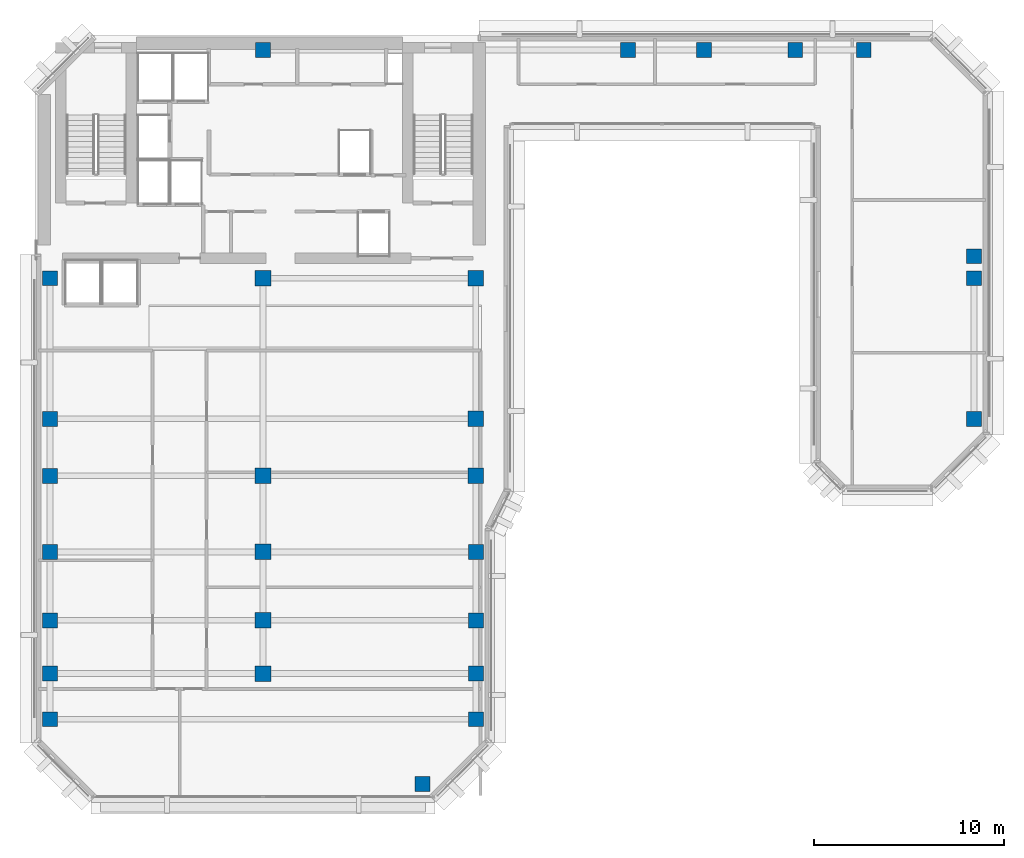
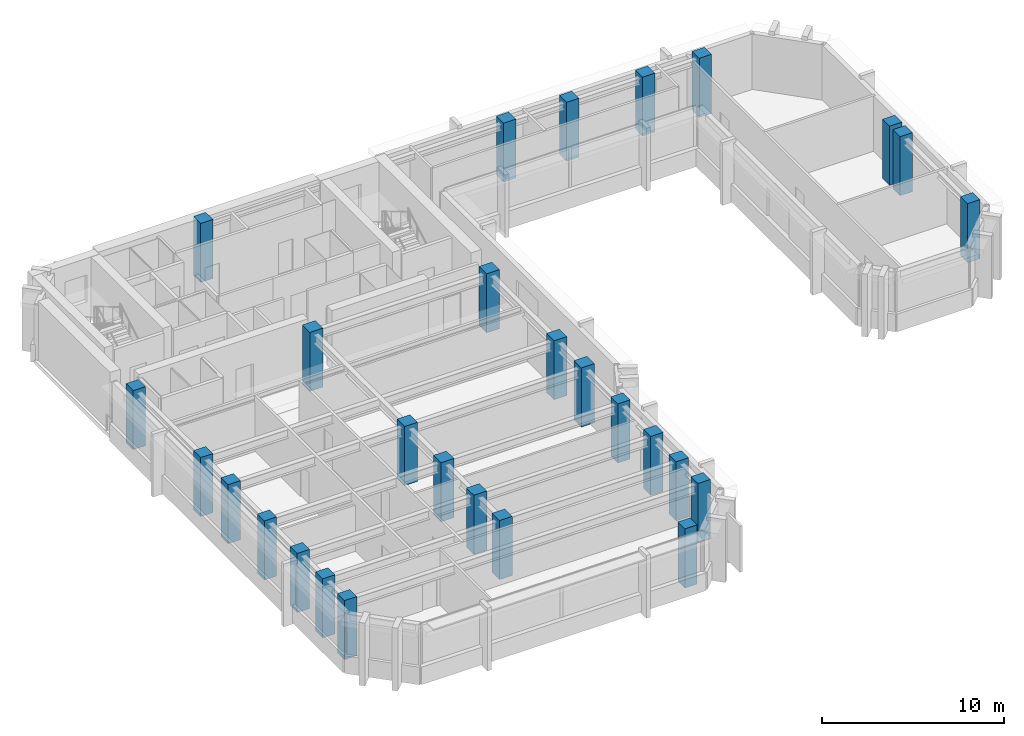
# One storey, part 1 of 11: 28 columns.
"""IFC4 building model written with IfcOpenShell, lengths in metres."""

from ifc_helpers import new_model, si_unit, direction, frame, origin, origin_2d, place, context, subcontext, project, spatial, rectangle, extrude, material, material_profile, profile_set, type_object, element, save


model = new_model("IFC4")

# Units and contexts
model_context = context("Model", 3, precision=1e-05, world=origin(), true_north=direction((0.0, 1.0)))
body_context = subcontext(model_context, "Body", "Model", "MODEL_VIEW")
ifc_project = project(units=[si_unit("LENGTHUNIT", "METRE"), si_unit("AREAUNIT", "SQUARE_METRE"), si_unit("VOLUMEUNIT", "CUBIC_METRE"), si_unit("PLANEANGLEUNIT", "RADIAN"), si_unit("MASSUNIT", "GRAM", prefix="KILO")], contexts=[model_context])

# Site, building, storey
site_placement = place(None, origin())
site = spatial("IfcSite", under=ifc_project, at=site_placement, CompositionType="ELEMENT")
building_placement = place(site_placement, origin())
building = spatial("IfcBuilding", under=site, at=building_placement, Name="Kefirva Bronze Tower", CompositionType="ELEMENT")
storey_placement = place(building_placement, frame((0.0, 0.0, 239.580078125)))
storey = spatial("IfcBuildingStorey", under=building, at=storey_placement, Name="L58", CompositionType="ELEMENT", Elevation=239.580078125)

# Columns
ifc_material = material(Name="Concrete C50/60", Category="concrete")
ifc_material_profile_1 = material_profile(ifc_material, rectangle(XDim=0.780029296875, YDim=0.780029296875, at=origin_2d()), Name="RC 780x780")
ifc_profile_set_1 = profile_set([ifc_material_profile_1], Name="Concrete C50/60")
column_type_1 = type_object("IfcColumnType", Name="RC Column 780x780 Ext", PredefinedType="COLUMN", material=ifc_profile_set_1)
for number, where, z_axis, x_axis, name in (
    (1, (0.800048828125, 10.0, 0.0), (0.0, 0.0, 1.0), (1.0, 0.0, 0.0), "L58 Column C008_100"),
    (2, (0.800048828125, 12.39990234375, 0.0), (0.0, 0.0, 1.0), (1.0, 0.0, 0.0), "L58 Column C008_124"),
    (3, (0.800048828125, 15.199951171875, 0.0), (0.0, 0.0, 1.0), (1.0, 0.0, 0.0), "L58 Column C008_152"),
    (4, (0.800048828125, 18.800048828125, 0.0), (0.0, 0.0, 1.0), (1.0, 0.0, 0.0), "L58 Column C008_188"),
    (5, (0.800048828125, 22.800048828125, 0.0), (0.0, 0.0, 1.0), (1.0, 0.0, 0.0), "L58 Column C008_228"),
    (6, (0.800048828125, 25.800048828125, 0.0), (0.0, 0.0, 1.0), (1.0, 0.0, 0.0), "L58 Column C008_258"),
    (7, (0.800048828125, 33.199951171875, 0.0), (0.0, 0.0, 1.0), (1.0, 0.0, 0.0), "L58 Column C008_332"),
    (8, (12.0, 45.199951171875, 0.0), (0.0, 0.0, 1.0), (1.0, 0.0, 0.0), "L58 Column C120_452"),
    (9, (20.39990234375, 6.60009765625, 0.0), (0.0, 0.0, 1.0), (1.0, 0.0, 0.0), "L58 Column C204_066"),
    (10, (23.199951171875, 10.0, 0.0), (0.0, 0.0, 1.0), (1.0, 0.0, 0.0), "L58 Column C232_100"),
    (11, (23.199951171875, 12.39990234375, 0.0), (0.0, 0.0, 1.0), (1.0, 0.0, 0.0), "L58 Column C232_124"),
    (12, (23.199951171875, 15.199951171875, 0.0), (0.0, 0.0, 1.0), (1.0, 0.0, 0.0), "L58 Column C232_152"),
    (13, (23.199951171875, 18.800048828125, 0.0), (0.0, 0.0, 1.0), (1.0, 0.0, 0.0), "L58 Column C232_188"),
    (14, (31.199951171875, 45.199951171875, 0.0), (0.0, 0.0, 1.0), (1.0, 0.0, 0.0), "L58 Column C312_452"),
    (15, (35.199951171875, 45.199951171875, 0.0), (0.0, 0.0, 1.0), (1.0, 0.0, 0.0), "L58 Column C352_452"),
    (16, (40.0, 45.199951171875, 0.0), (0.0, 0.0, 1.0), (1.0, 0.0, 0.0), "L58 Column C400_452"),
    (17, (43.60009765625, 45.199951171875, 0.0), (0.0, 0.0, 1.0), (1.0, 0.0, 0.0), "L58 Column C436_452"),
    (18, (49.39990234375, 25.800048828125, 0.0), (0.0, 0.0, 1.0), (1.0, 0.0, 0.0), "L58 Column C494_258"),
    (19, (49.39990234375, 33.199951171875, 0.0), (0.0, 0.0, 1.0), (1.0, 0.0, 0.0), "L58 Column C494_332"),
    (20, (49.39990234375, 34.35009765625, 0.0), (0.0, 0.0, 1.0), (1.0, 0.0, 0.0), "L58 Column C494_344"),
):
    element("IfcColumn", number, at=place(storey_placement, frame(where, z_axis=z_axis, x_axis=x_axis)), inside=storey, type_object=column_type_1, Name=name, PredefinedType="COLUMN", context=body_context, shape_type="SweptSolid", body=[
        extrude(rectangle(XDim=0.780029296875, YDim=0.780029296875, at=origin_2d()), origin(), (0.0, 0.0, 1.0), 3.9599609375),
    ])
ifc_material_profile_2 = material_profile(ifc_material, rectangle(XDim=0.820068359375, YDim=0.820068359375, at=origin_2d()), Name="RC 820x820")
ifc_profile_set_2 = profile_set([ifc_material_profile_2], Name="Concrete C50/60")
column_type_2 = type_object("IfcColumnType", Name="RC Column 820x820 Int", PredefinedType="COLUMN", material=ifc_profile_set_2)
for number, where, z_axis, x_axis, name in (
    (21, (12.0, 12.39990234375, 0.0), (0.0, 0.0, 1.0), (1.0, 0.0, 0.0), "L58 Column C120_124"),
    (22, (12.0, 15.199951171875, 0.0), (0.0, 0.0, 1.0), (1.0, 0.0, 0.0), "L58 Column C120_152"),
    (23, (12.0, 18.800048828125, 0.0), (0.0, 0.0, 1.0), (1.0, 0.0, 0.0), "L58 Column C120_188"),
    (24, (12.0, 22.800048828125, 0.0), (0.0, 0.0, 1.0), (1.0, 0.0, 0.0), "L58 Column C120_228"),
    (25, (12.0, 33.199951171875, 0.0), (0.0, 0.0, 1.0), (1.0, 0.0, 0.0), "L58 Column C120_332"),
    (26, (23.199951171875, 22.800048828125, 0.0), (0.0, 0.0, 1.0), (1.0, 0.0, 0.0), "L58 Column C232_228"),
    (27, (23.199951171875, 25.800048828125, 0.0), (0.0, 0.0, 1.0), (1.0, 0.0, 0.0), "L58 Column C232_258"),
    (28, (23.199951171875, 33.199951171875, 0.0), (0.0, 0.0, 1.0), (1.0, 0.0, 0.0), "L58 Column C232_332"),
):
    element("IfcColumn", number, at=place(storey_placement, frame(where, z_axis=z_axis, x_axis=x_axis)), inside=storey, type_object=column_type_2, Name=name, PredefinedType="COLUMN", context=body_context, shape_type="SweptSolid", body=[
        extrude(rectangle(XDim=0.820068359375, YDim=0.820068359375, at=origin_2d()), origin(), (0.0, 0.0, 1.0), 3.9599609375),
    ])

save(model, "model.ifc")
